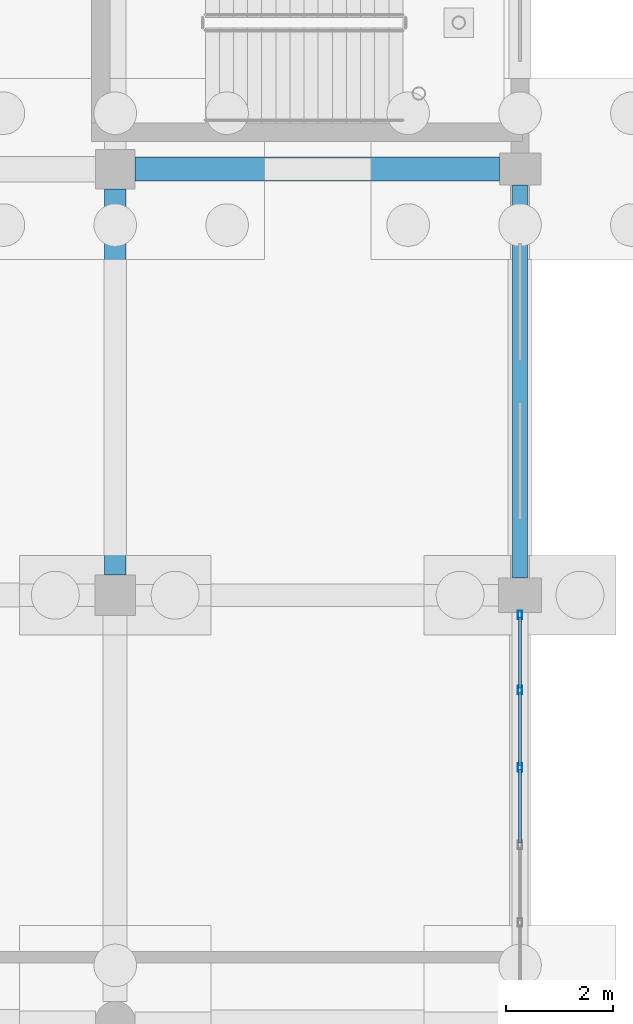
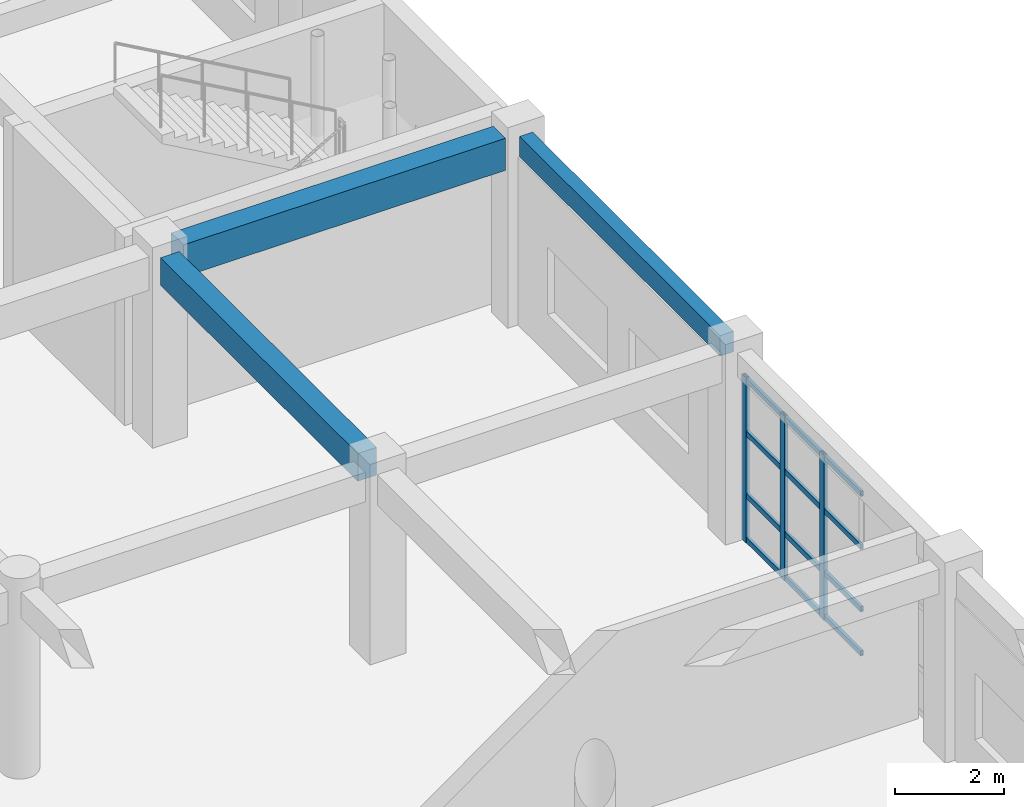
# One storey, part 94 of 166: 15 members, 3 beams, 1 element without a shape of its own.
"""IFC4 building model written with IfcOpenShell, lengths in metres."""

from ifc_helpers import new_model, si_unit, direction, frame, origin, origin_2d, place, context, subcontext, project, spatial, rectangle, hollow_rectangle, extrude, material, material_profile, profile_set, type_object, element, aggregate, save


model = new_model("IFC4")

# Units and contexts
model_context = context("Model", 3, precision=1e-05, world=origin(), true_north=direction((0.0, 1.0)))
body_context = subcontext(model_context, "Body", "Model", "MODEL_VIEW")
ifc_project = project(units=[si_unit("LENGTHUNIT", "METRE"), si_unit("AREAUNIT", "SQUARE_METRE"), si_unit("VOLUMEUNIT", "CUBIC_METRE"), si_unit("PLANEANGLEUNIT", "RADIAN"), si_unit("MASSUNIT", "GRAM", prefix="KILO")], contexts=[model_context])

# Site, building, storey
site_placement = place(None, origin())
site = spatial("IfcSite", under=ifc_project, at=site_placement, CompositionType="ELEMENT")
building_placement = place(site_placement, origin())
building = spatial("IfcBuilding", under=site, at=building_placement, Name="Kharva Crest Polytechnic", CompositionType="ELEMENT")
storey_placement = place(building_placement, origin())
storey = spatial("IfcBuildingStorey", under=building, at=storey_placement, Name="L00", CompositionType="ELEMENT", Elevation=0.0)

# Beams
ifc_material_1 = material(Name="Concrete C35/45", Category="concrete")
ifc_material_profile_1 = material_profile(ifc_material_1, rectangle(XDim=0.39990234375, YDim=0.6201171875, at=origin_2d()), Name="RECT 400 X 620")
ifc_profile_set_1 = profile_set([ifc_material_profile_1], Name="Concrete C35/45")
beam_type_1 = type_object("IfcBeamType", Name="BM-RC-400X620", PredefinedType="BEAM", material=ifc_profile_set_1)
beam_1_placement = place(storey_placement, frame((176.39990234375, 63.179931640625, 3.909912109375), z_axis=(0.0, 1.0, 0.0), x_axis=(-1.0, 0.0, 0.0)))
element("IfcBeam", 1, at=beam_1_placement, inside=storey, type_object=beam_type_1, Name="L00 Girder 23/J-K", PredefinedType="BEAM", context=body_context, shape_type="SweptSolid", body=[
    extrude(rectangle(XDim=0.39990234375, YDim=0.6201171875, at=origin_2d()), origin(), (0.0, 0.0, 1.0), 7.25),
])
ifc_material_profile_2 = material_profile(ifc_material_1, rectangle(XDim=0.449951171875, YDim=0.719970703125, at=origin_2d()), Name="RECT 450 X 720")
ifc_profile_set_2 = profile_set([ifc_material_profile_2], Name="Concrete C35/45")
beam_type_2 = type_object("IfcBeamType", Name="BM-RC-450X720", PredefinedType="BEAM", material=ifc_profile_set_2)
beam_2_placement = place(storey_placement, frame((176.77001953125, 70.800048828125, 3.860107421875), z_axis=(1.0, 0.0, 0.0), x_axis=(0.0, 1.0, 0.0)))
element("IfcBeam", 2, at=beam_2_placement, inside=storey, type_object=beam_type_2, Name="L00 Beam K/23-24", PredefinedType="BEAM", context=body_context, shape_type="SweptSolid", body=[
    extrude(rectangle(XDim=0.449951171875, YDim=0.719970703125, at=origin_2d()), origin(), (0.0, 0.0, 1.0), 6.840087890625),
])

# Curtain wall, members
ifc_material_2 = material(Name="Tempered insulated glass", Category="glass")
curtain_wall_type = type_object("IfcCurtainWallType", Name="CW-SYS-COURT", PredefinedType="USERDEFINED", material=ifc_material_2)
curtain_wall_placement = place(storey_placement, origin())
curtain_wall = element("IfcCurtainWall", 3, at=curtain_wall_placement, inside=storey, type_object=curtain_wall_type, Name="L00 Glazed Curtain Wall CW-017", ObjectType="CURTAIN WALL", PredefinedType="USERDEFINED")
ifc_material_3 = material(Name="Steel S355", Category="steel")
ifc_material_profile_3 = material_profile(ifc_material_3, hollow_rectangle(XDim=0.080078125, YDim=0.159912109375, WallThickness=0.0048828125, at=origin_2d()), Name="RHS 160X80X5.0")
ifc_profile_set_3 = profile_set([ifc_material_profile_3], Name="Steel S355")
member_type_1 = type_object("IfcMemberType", Name="CWM-RHS160X80", PredefinedType="MULLION", material=ifc_profile_set_3)
member_1_placement = place(storey_placement, frame((184.0, 59.56396484375, 0.0), z_axis=(0.0, 0.0, 1.0), x_axis=(-1.0, 0.0, 0.0)))
member_1 = element("IfcMember", 4, at=member_1_placement, type_object=member_type_1, Name="CW-017 mullion 4", PredefinedType="MULLION", context=body_context, shape_type="SweptSolid", body=[
    extrude(hollow_rectangle(XDim=0.080078125, YDim=0.159912109375, WallThickness=0.0048828125, at=origin_2d()), origin(), (0.0, 0.0, 1.0), 3.699951171875),
])
member_2_placement = place(storey_placement, frame((184.0, 61.01708984375, 0.0), z_axis=(0.0, 0.0, 1.0), x_axis=(-1.0, 0.0, 0.0)))
member_2 = element("IfcMember", 5, at=member_2_placement, type_object=member_type_1, Name="CW-017 mullion 5", PredefinedType="MULLION", context=body_context, shape_type="SweptSolid", body=[
    extrude(hollow_rectangle(XDim=0.080078125, YDim=0.159912109375, WallThickness=0.0048828125, at=origin_2d()), origin(), (0.0, 0.0, 1.0), 3.699951171875),
])
member_3_placement = place(storey_placement, frame((184.0, 62.429931640625, 0.0), z_axis=(0.0, 0.0, 1.0), x_axis=(-1.0, 0.0, 0.0)))
member_3 = element("IfcMember", 6, at=member_3_placement, type_object=member_type_1, Name="CW-017 mullion 6", PredefinedType="MULLION", context=body_context, shape_type="SweptSolid", body=[
    extrude(hollow_rectangle(XDim=0.080078125, YDim=0.159912109375, WallThickness=0.0048828125, at=origin_2d()), origin(), (0.0, 0.0, 1.0), 3.699951171875),
])
ifc_material_profile_4 = material_profile(ifc_material_3, hollow_rectangle(XDim=0.06005859375, YDim=0.1201171875, WallThickness=0.00390625, at=origin_2d()), Name="RHS 120X60X4.0")
ifc_profile_set_4 = profile_set([ifc_material_profile_4], Name="Steel S355")
member_type_2 = type_object("IfcMemberType", Name="CWT-RHS120X60", PredefinedType="USERDEFINED", material=ifc_profile_set_4)
member_4_placement = place(storey_placement, frame((184.0, 58.15087890625, 0.06005859375), z_axis=(0.0, 1.0, 0.0), x_axis=(-1.0, 0.0, 0.0)))
member_4 = element("IfcMember", 7, at=member_4_placement, type_object=member_type_2, Name="CW-017 transom 3.1", ObjectType="TRANSOM", PredefinedType="USERDEFINED", context=body_context, shape_type="SweptSolid", body=[
    extrude(hollow_rectangle(XDim=0.06005859375, YDim=0.1201171875, WallThickness=0.00390625, at=origin_2d()), origin(), (0.0, 0.0, 1.0), 1.373046875),
])
member_5_placement = place(storey_placement, frame((184.0, 58.15087890625, 1.050048828125), z_axis=(0.0, 1.0, 0.0), x_axis=(-1.0, 0.0, 0.0)))
member_5 = element("IfcMember", 8, at=member_5_placement, type_object=member_type_2, Name="CW-017 transom 3.2", ObjectType="TRANSOM", PredefinedType="USERDEFINED", context=body_context, shape_type="SweptSolid", body=[
    extrude(hollow_rectangle(XDim=0.06005859375, YDim=0.1201171875, WallThickness=0.00390625, at=origin_2d()), origin(), (0.0, 0.0, 1.0), 1.373046875),
])
member_6_placement = place(storey_placement, frame((184.0, 58.15087890625, 2.449951171875), z_axis=(0.0, 1.0, 0.0), x_axis=(-1.0, 0.0, 0.0)))
member_6 = element("IfcMember", 9, at=member_6_placement, type_object=member_type_2, Name="CW-017 transom 3.3", ObjectType="TRANSOM", PredefinedType="USERDEFINED", context=body_context, shape_type="SweptSolid", body=[
    extrude(hollow_rectangle(XDim=0.06005859375, YDim=0.1201171875, WallThickness=0.00390625, at=origin_2d()), origin(), (0.0, 0.0, 1.0), 1.373046875),
])
member_7_placement = place(storey_placement, frame((184.0, 58.15087890625, 3.639892578125), z_axis=(0.0, 1.0, 0.0), x_axis=(-1.0, 0.0, 0.0)))
member_7 = element("IfcMember", 10, at=member_7_placement, type_object=member_type_2, Name="CW-017 transom 3.4", ObjectType="TRANSOM", PredefinedType="USERDEFINED", context=body_context, shape_type="SweptSolid", body=[
    extrude(hollow_rectangle(XDim=0.06005859375, YDim=0.1201171875, WallThickness=0.00390625, at=origin_2d()), origin(), (0.0, 0.0, 1.0), 1.373046875),
])
member_8_placement = place(storey_placement, frame((184.0, 59.60400390625, 0.06005859375), z_axis=(0.0, 1.0, 0.0), x_axis=(-1.0, 0.0, 0.0)))
member_8 = element("IfcMember", 11, at=member_8_placement, type_object=member_type_2, Name="CW-017 transom 4.1", ObjectType="TRANSOM", PredefinedType="USERDEFINED", context=body_context, shape_type="SweptSolid", body=[
    extrude(hollow_rectangle(XDim=0.06005859375, YDim=0.1201171875, WallThickness=0.00390625, at=origin_2d()), origin(), (0.0, 0.0, 1.0), 1.373046875),
])
member_9_placement = place(storey_placement, frame((184.0, 59.60400390625, 1.050048828125), z_axis=(0.0, 1.0, 0.0), x_axis=(-1.0, 0.0, 0.0)))
member_9 = element("IfcMember", 12, at=member_9_placement, type_object=member_type_2, Name="CW-017 transom 4.2", ObjectType="TRANSOM", PredefinedType="USERDEFINED", context=body_context, shape_type="SweptSolid", body=[
    extrude(hollow_rectangle(XDim=0.06005859375, YDim=0.1201171875, WallThickness=0.00390625, at=origin_2d()), origin(), (0.0, 0.0, 1.0), 1.373046875),
])
member_10_placement = place(storey_placement, frame((184.0, 59.60400390625, 2.449951171875), z_axis=(0.0, 1.0, 0.0), x_axis=(-1.0, 0.0, 0.0)))
member_10 = element("IfcMember", 13, at=member_10_placement, type_object=member_type_2, Name="CW-017 transom 4.3", ObjectType="TRANSOM", PredefinedType="USERDEFINED", context=body_context, shape_type="SweptSolid", body=[
    extrude(hollow_rectangle(XDim=0.06005859375, YDim=0.1201171875, WallThickness=0.00390625, at=origin_2d()), origin(), (0.0, 0.0, 1.0), 1.373046875),
])
member_11_placement = place(storey_placement, frame((184.0, 59.60400390625, 3.639892578125), z_axis=(0.0, 1.0, 0.0), x_axis=(-1.0, 0.0, 0.0)))
member_11 = element("IfcMember", 14, at=member_11_placement, type_object=member_type_2, Name="CW-017 transom 4.4", ObjectType="TRANSOM", PredefinedType="USERDEFINED", context=body_context, shape_type="SweptSolid", body=[
    extrude(hollow_rectangle(XDim=0.06005859375, YDim=0.1201171875, WallThickness=0.00390625, at=origin_2d()), origin(), (0.0, 0.0, 1.0), 1.373046875),
])
member_12_placement = place(storey_placement, frame((184.0, 61.056884765625, 0.06005859375), z_axis=(0.0, 1.0, 0.0), x_axis=(-1.0, 0.0, 0.0)))
member_12 = element("IfcMember", 15, at=member_12_placement, type_object=member_type_2, Name="CW-017 transom 5.1", ObjectType="TRANSOM", PredefinedType="USERDEFINED", context=body_context, shape_type="SweptSolid", body=[
    extrude(hollow_rectangle(XDim=0.06005859375, YDim=0.1201171875, WallThickness=0.00390625, at=origin_2d()), origin(), (0.0, 0.0, 1.0), 1.3330078125),
])
member_13_placement = place(storey_placement, frame((184.0, 61.056884765625, 1.050048828125), z_axis=(0.0, 1.0, 0.0), x_axis=(-1.0, 0.0, 0.0)))
member_13 = element("IfcMember", 16, at=member_13_placement, type_object=member_type_2, Name="CW-017 transom 5.2", ObjectType="TRANSOM", PredefinedType="USERDEFINED", context=body_context, shape_type="SweptSolid", body=[
    extrude(hollow_rectangle(XDim=0.06005859375, YDim=0.1201171875, WallThickness=0.00390625, at=origin_2d()), origin(), (0.0, 0.0, 1.0), 1.3330078125),
])
member_14_placement = place(storey_placement, frame((184.0, 61.056884765625, 2.449951171875), z_axis=(0.0, 1.0, 0.0), x_axis=(-1.0, 0.0, 0.0)))
member_14 = element("IfcMember", 17, at=member_14_placement, type_object=member_type_2, Name="CW-017 transom 5.3", ObjectType="TRANSOM", PredefinedType="USERDEFINED", context=body_context, shape_type="SweptSolid", body=[
    extrude(hollow_rectangle(XDim=0.06005859375, YDim=0.1201171875, WallThickness=0.00390625, at=origin_2d()), origin(), (0.0, 0.0, 1.0), 1.3330078125),
])
member_15_placement = place(storey_placement, frame((184.0, 61.056884765625, 3.639892578125), z_axis=(0.0, 1.0, 0.0), x_axis=(-1.0, 0.0, 0.0)))
member_15 = element("IfcMember", 18, at=member_15_placement, type_object=member_type_2, Name="CW-017 transom 5.4", ObjectType="TRANSOM", PredefinedType="USERDEFINED", context=body_context, shape_type="SweptSolid", body=[
    extrude(hollow_rectangle(XDim=0.06005859375, YDim=0.1201171875, WallThickness=0.00390625, at=origin_2d()), origin(), (0.0, 0.0, 1.0), 1.3330078125),
])
aggregate(curtain_wall, [member_1, member_2, member_3, member_4, member_5, member_6, member_7, member_8, member_9, member_10, member_11, member_12, member_13, member_14, member_15])

# Beam
ifc_material_profile_5 = material_profile(ifc_material_1, rectangle(XDim=0.280029296875, YDim=0.4599609375, at=origin_2d()), Name="RECT 280 X 460")
ifc_profile_set_5 = profile_set([ifc_material_profile_5], Name="Concrete C35/45")
beam_type_3 = type_object("IfcBeamType", Name="SP-RC-280X460", PredefinedType="SPANDREL", material=ifc_profile_set_5)
beam_3_placement = place(storey_placement, frame((184.0, 63.125, 3.989990234375), z_axis=(0.0, 1.0, 0.0), x_axis=(-1.0, 0.0, 0.0)))
element("IfcBeam", 19, at=beam_3_placement, inside=storey, type_object=beam_type_3, Name="L00 Girder 24/J-K", PredefinedType="SPANDREL", context=body_context, shape_type="SweptSolid", body=[
    extrude(rectangle(XDim=0.280029296875, YDim=0.4599609375, at=origin_2d()), origin(), (0.0, 0.0, 1.0), 7.375),
])

save(model, "model.ifc")
